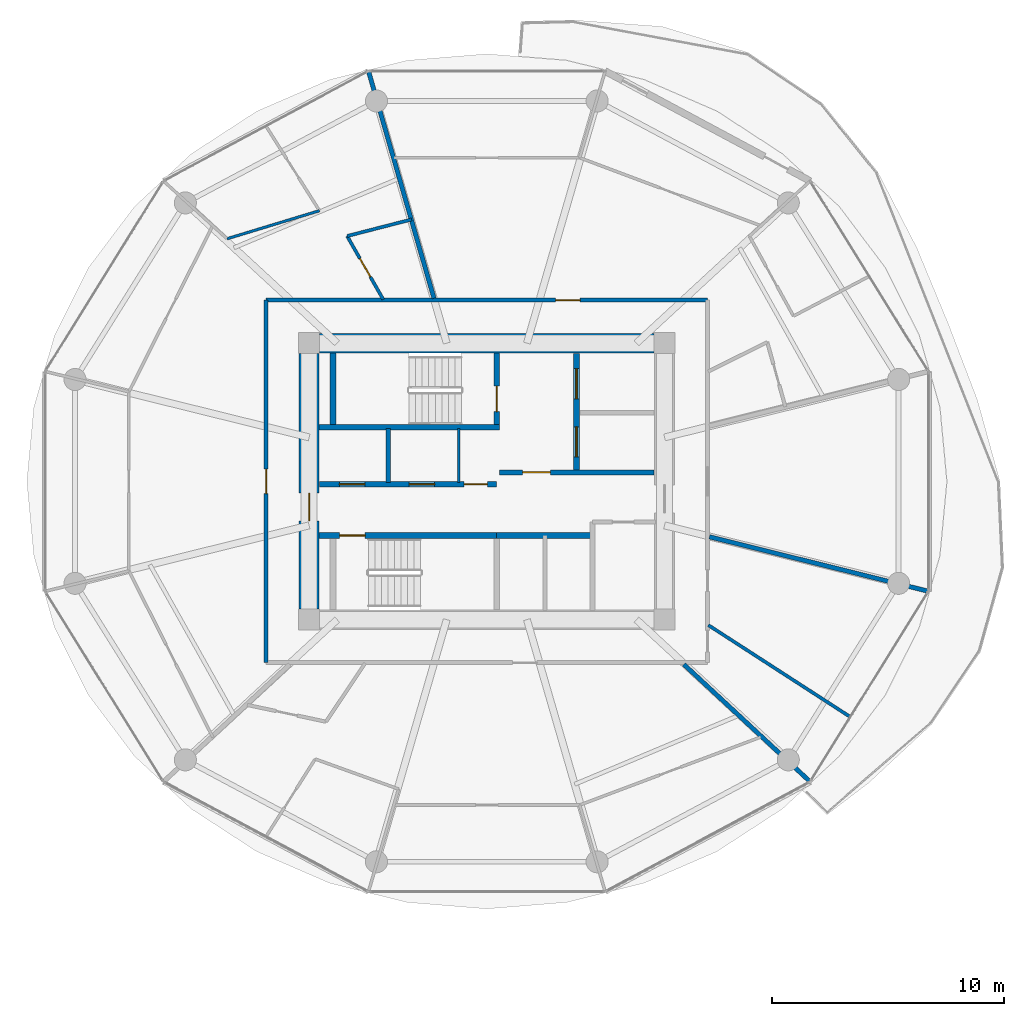
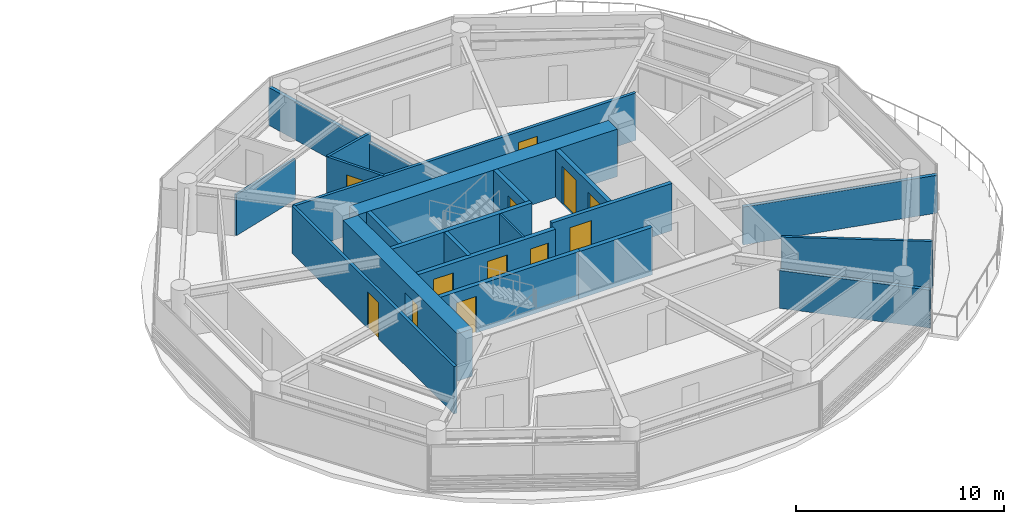
# One storey, part 19 of 27: 21 walls, 12 doors, 12 openings.
"""IFC4 building model written with IfcOpenShell, lengths in metres."""

from ifc_helpers import new_model, si_unit, direction, frame, frame_2d, origin, place, context, subcontext, project, spatial, rectangle, extrude, source, transform, mapped, material, layer, layer_set, type_object, type_shapes, element, fill, save


model = new_model("IFC4")

# Units and contexts
model_context = context("Model", 3, precision=1e-05, world=origin(), true_north=direction((0.0, 1.0)))
body_context = subcontext(model_context, "Body", "Model", "MODEL_VIEW")
ifc_project = project(units=[si_unit("LENGTHUNIT", "METRE"), si_unit("AREAUNIT", "SQUARE_METRE"), si_unit("VOLUMEUNIT", "CUBIC_METRE"), si_unit("PLANEANGLEUNIT", "RADIAN"), si_unit("MASSUNIT", "GRAM", prefix="KILO")], contexts=[model_context])

# Site, building, storey
site_placement = place(None, origin())
site = spatial("IfcSite", under=ifc_project, at=site_placement, CompositionType="ELEMENT")
building_placement = place(site_placement, origin())
building = spatial("IfcBuilding", under=site, at=building_placement, Name="Norrkilde Senior Care Towers", CompositionType="ELEMENT")
storey_placement = place(building_placement, frame((0.0, 0.0, 46.0)))
storey = spatial("IfcBuildingStorey", under=building, at=storey_placement, Name="L13", CompositionType="ELEMENT", Elevation=46.0)

# Wall
ifc_material_1 = material(Name="Concrete C60/75", Category="concrete")
ifc_layer_1 = layer(ifc_material_1, 0.85009765625)
ifc_layer_set_1 = layer_set([ifc_layer_1], Name="Concrete C60/75")
wall_type_1 = type_object("IfcWallType", Name="Core Shear Wall Z1 850", PredefinedType="SHEAR", material=ifc_layer_set_1)
shared_shape_1 = source(origin(), body_context, "Body", "SweptSolid", [
    extrude(rectangle(XDim=14.39990234375, YDim=0.85009765625, at=frame_2d((7.199951171875, 0.0))), origin(), (0.0, 0.0, 1.0), 2.7900390625),
])
wall_1_placement = place(storey_placement, frame((20.800048828125, 5.949951171875, 0.0), z_axis=(0.0, 0.0, 1.0), x_axis=(1.0, 0.0, 0.0)))
element("IfcWall", 1, at=wall_1_placement, inside=storey, type_object=wall_type_1, Name="L13 Core E North Shear Wall", PredefinedType="SHEAR", context=body_context, shape_type="MappedRepresentation", body=[
    mapped(shared_shape_1, transform((0.0, 0.0, 0.0), x_axis=(1.0, 0.0, 0.0), y_axis=(0.0, 1.0, 0.0), z_axis=(0.0, 0.0, 1.0), scale=1.0)),
])

# Wall, opening, door
shared_shape_2 = source(origin(), body_context, "Body", "SweptSolid", [
    extrude(rectangle(XDim=11.0, YDim=0.85009765625, at=frame_2d((5.5, 0.0))), origin(), (0.0, 0.0, 1.0), 2.7900390625),
])
type_shapes(wall_type_1, [shared_shape_1, shared_shape_2])
wall_2_placement = place(storey_placement, frame((20.35009765625, -5.5, 0.0), z_axis=(0.0, 0.0, 1.0), x_axis=(0.0, 1.0, 0.0)))
wall_2 = element("IfcWall", 2, at=wall_2_placement, inside=storey, type_object=wall_type_1, Name="L13 Core E West Shear Wall", PredefinedType="SHEAR", context=body_context, shape_type="MappedRepresentation", body=[
    mapped(shared_shape_2, transform((0.0, 0.0, 0.0), x_axis=(1.0, 0.0, 0.0), y_axis=(0.0, 1.0, 0.0), z_axis=(0.0, 0.0, 1.0), scale=1.0)),
])
opening_1_placement = place(wall_2_placement, frame((3.800048828125, 0.0, 0.0)))
opening_1 = element("IfcOpeningElement", 3, at=opening_1_placement, cuts=wall_2, Name="Opening D-04", PredefinedType="OPENING", context=body_context, shape_type="SweptSolid", body=[
    extrude(rectangle(XDim=1.199951171875, YDim=2.14990234375, at=frame_2d((0.60009765625, 1.074951171875))), frame((0.0, 0.43505859375, 0.0), z_axis=(0.0, -1.0, 0.0), x_axis=(1.0, 0.0, 0.0)), (0.0, 0.0, 1.0), 0.8701171875),
])
ifc_material_2 = material(Name="Galvanised Painted Steel", Category="steel")
door_type_1 = type_object("IfcDoorType", Name="Firefighting Lobby Fire Door 1200x2150", OperationType="NOTDEFINED", PredefinedType="DOOR", material=ifc_material_2)
shared_shape_3 = source(origin(), body_context, "Body", "SweptSolid", [
    extrude(rectangle(XDim=1.199951171875, YDim=2.14990234375, at=frame_2d((0.60009765625, 1.074951171875))), frame((0.0, 0.02490234375, 0.0), z_axis=(0.0, -1.0, 0.0), x_axis=(1.0, 0.0, 0.0)), (0.0, 0.0, 1.0), 0.050048828125),
])
type_shapes(door_type_1, [shared_shape_3])
door_1_placement = place(opening_1_placement, frame((1.199951171875, 0.0, 0.0), z_axis=(0.0, 0.0, 1.0), x_axis=(-1.0, 0.0, 0.0)))
door_1 = element("IfcDoor", 4, at=door_1_placement, inside=storey, type_object=door_type_1, Name="L13 Core E West Portal Door", OperationType="SINGLE_SWING_LEFT", OverallHeight=2.14990234375, OverallWidth=1.199951171875, PredefinedType="DOOR", context=body_context, shape_type="MappedRepresentation", body=[
    mapped(shared_shape_3, transform((0.0, 0.0, 0.0), x_axis=(1.0, 0.0, 0.0), y_axis=(0.0, 1.0, 0.0), z_axis=(0.0, 0.0, 1.0), scale=1.0)),
])
fill(opening_1, door_1)

# Wall, openings, doors
ifc_material_3 = material(Name="Concrete C45/55", Category="concrete")
ifc_layer_2 = layer(ifc_material_3, 0.239990234375)
ifc_layer_set_2 = layer_set([ifc_layer_2], Name="Concrete C45/55")
wall_type_2 = type_object("IfcWallType", Name="Lift and Plant Rated Enclosure Partition 240", PredefinedType="PARTITIONING", material=ifc_layer_set_2)
shared_shape_4 = source(origin(), body_context, "Body", "SweptSolid", [
    extrude(rectangle(XDim=5.0, YDim=0.239990234375, at=frame_2d((2.5, 0.0))), origin(), (0.0, 0.0, 1.0), 2.77490234375),
])
wall_3_placement = place(storey_placement, frame((31.860107421875, 0.5, 0.0), z_axis=(0.0, 0.0, 1.0), x_axis=(0.0, 1.0, 0.0)))
wall_3 = element("IfcWall", 5, at=wall_3_placement, inside=storey, type_object=wall_type_2, Name="WL-INT-L13-E-FFLE", PredefinedType="PARTITIONING", context=body_context, shape_type="MappedRepresentation", body=[
    mapped(shared_shape_4, transform((0.0, 0.0, 0.0), x_axis=(1.0, 0.0, 0.0), y_axis=(0.0, 1.0, 0.0), z_axis=(0.0, 0.0, 1.0), scale=1.0)),
])
opening_2_placement = place(wall_3_placement, frame((3.050048828125, 0.0, 0.0)))
opening_2 = element("IfcOpeningElement", 6, at=opening_2_placement, cuts=wall_3, Name="Opening LD-02", PredefinedType="OPENING", context=body_context, shape_type="SweptSolid", body=[
    extrude(rectangle(XDim=1.300048828125, YDim=2.199951171875, at=frame_2d((0.64990234375, 1.10009765625))), frame((0.0, 0.1298828125, 0.0), z_axis=(0.0, -1.0, 0.0), x_axis=(1.0, 0.0, 0.0)), (0.0, 0.0, 1.0), 0.260009765625),
])
opening_3_placement = place(wall_3_placement, frame((0.550048828125, 0.0, 0.0)))
opening_3 = element("IfcOpeningElement", 7, at=opening_3_placement, cuts=wall_3, Name="Opening LD-02", PredefinedType="OPENING", context=body_context, shape_type="SweptSolid", body=[
    extrude(rectangle(XDim=1.300048828125, YDim=2.199951171875, at=frame_2d((0.64990234375, 1.10009765625))), frame((0.0, 0.1298828125, 0.0), z_axis=(0.0, -1.0, 0.0), x_axis=(1.0, 0.0, 0.0)), (0.0, 0.0, 1.0), 0.260009765625),
])
ifc_material_4 = material(Name="Stainless Steel", Category="steel")
door_type_2 = type_object("IfcDoorType", Name="Stretcher and FFL Landing Sliding Door 1300x2200", OperationType="NOTDEFINED", PredefinedType="DOOR", material=ifc_material_4)
shared_shape_5 = source(origin(), body_context, "Body", "SweptSolid", [
    extrude(rectangle(XDim=1.300048828125, YDim=2.199951171875, at=frame_2d((0.64990234375, 1.10009765625))), frame((0.0, 0.02490234375, 0.0), z_axis=(0.0, -1.0, 0.0), x_axis=(1.0, 0.0, 0.0)), (0.0, 0.0, 1.0), 0.050048828125),
])
type_shapes(door_type_2, [shared_shape_5])
door_2_placement = place(opening_2_placement, origin())
door_2 = element("IfcDoor", 8, at=door_2_placement, inside=storey, type_object=door_type_2, Name="L13 Firefighting Lift E1 Landing Door", OperationType="SLIDING_TO_LEFT", OverallHeight=2.199951171875, OverallWidth=1.300048828125, PredefinedType="DOOR", context=body_context, shape_type="MappedRepresentation", body=[
    mapped(shared_shape_5, transform((0.0, 0.0, 0.0), x_axis=(1.0, 0.0, 0.0), y_axis=(0.0, 1.0, 0.0), z_axis=(0.0, 0.0, 1.0), scale=1.0)),
])
fill(opening_2, door_2)
door_3_placement = place(opening_3_placement, origin())
door_3 = element("IfcDoor", 9, at=door_3_placement, inside=storey, type_object=door_type_2, Name="L13 Stretcher Lift E1 Landing Door", OperationType="SLIDING_TO_RIGHT", OverallHeight=2.199951171875, OverallWidth=1.300048828125, PredefinedType="DOOR", context=body_context, shape_type="MappedRepresentation", body=[
    mapped(shared_shape_5, transform((0.0, 0.0, 0.0), x_axis=(1.0, 0.0, 0.0), y_axis=(0.0, 1.0, 0.0), z_axis=(0.0, 0.0, 1.0), scale=1.0)),
])
fill(opening_3, door_3)

# Wall, opening, door
ifc_layer_3 = layer(ifc_material_3, 0.2099609375)
ifc_layer_set_3 = layer_set([ifc_layer_3], Name="Concrete C45/55")
wall_type_3 = type_object("IfcWallType", Name="Firefighting Lobby Wall 210", PredefinedType="PARTITIONING", material=ifc_layer_set_3)
shared_shape_6 = source(origin(), body_context, "Body", "SweptSolid", [
    extrude(rectangle(XDim=6.659912109375, YDim=0.2099609375, at=frame_2d((3.330078125, 0.0))), origin(), (0.0, 0.0, 1.0), 2.77490234375),
])
type_shapes(wall_type_3, [shared_shape_6])
wall_4_placement = place(storey_placement, frame((28.5400390625, 0.389892578125, 0.0), z_axis=(0.0, 0.0, 1.0), x_axis=(1.0, 0.0, 0.0)))
wall_4 = element("IfcWall", 10, at=wall_4_placement, inside=storey, type_object=wall_type_3, Name="WL-INT-L13-E-FFLS", PredefinedType="PARTITIONING", context=body_context, shape_type="MappedRepresentation", body=[
    mapped(shared_shape_6, transform((0.0, 0.0, 0.0), x_axis=(1.0, 0.0, 0.0), y_axis=(0.0, 1.0, 0.0), z_axis=(0.0, 0.0, 1.0), scale=1.0)),
])
opening_4_placement = place(wall_4_placement, frame((1.0, 0.0, 0.0)))
opening_4 = element("IfcOpeningElement", 11, at=opening_4_placement, cuts=wall_4, Name="Opening D-04", PredefinedType="OPENING", context=body_context, shape_type="SweptSolid", body=[
    extrude(rectangle(XDim=1.199951171875, YDim=2.14990234375, at=frame_2d((0.60009765625, 1.074951171875))), frame((0.0, 0.114990234375, 0.0), z_axis=(0.0, -1.0, 0.0), x_axis=(1.0, 0.0, 0.0)), (0.0, 0.0, 1.0), 0.22998046875),
])
door_4_placement = place(opening_4_placement, frame((1.199951171875, 0.0, 0.0), z_axis=(0.0, 0.0, 1.0), x_axis=(-1.0, 0.0, 0.0)))
door_4 = element("IfcDoor", 12, at=door_4_placement, inside=storey, type_object=door_type_1, Name="L13 Firefighting Lobby E Door", OperationType="SINGLE_SWING_LEFT", OverallHeight=2.14990234375, OverallWidth=1.199951171875, PredefinedType="DOOR", context=body_context, shape_type="MappedRepresentation", body=[
    mapped(shared_shape_3, transform((0.0, 0.0, 0.0), x_axis=(1.0, 0.0, 0.0), y_axis=(0.0, 1.0, 0.0), z_axis=(0.0, 0.0, 1.0), scale=1.0)),
])
fill(opening_4, door_4)

# Wall, openings, doors
shared_shape_7 = source(origin(), body_context, "Body", "SweptSolid", [
    extrude(rectangle(XDim=7.619873046875, YDim=0.239990234375, at=frame_2d((3.81005859375, 0.0))), origin(), (0.0, 0.0, 1.0), 2.77490234375),
])
wall_5_placement = place(storey_placement, frame((20.800048828125, -0.1298828125, 0.0), z_axis=(0.0, 0.0, 1.0), x_axis=(1.0, 0.0, 0.0)))
wall_5 = element("IfcWall", 13, at=wall_5_placement, inside=storey, type_object=wall_type_2, Name="WL-INT-L13-E-PKAS", PredefinedType="PARTITIONING", context=body_context, shape_type="MappedRepresentation", body=[
    mapped(shared_shape_7, transform((0.0, 0.0, 0.0), x_axis=(1.0, 0.0, 0.0), y_axis=(0.0, 1.0, 0.0), z_axis=(0.0, 0.0, 1.0), scale=1.0)),
])
opening_5_placement = place(wall_5_placement, frame((6.219970703125, 0.0, 0.0)))
opening_5 = element("IfcOpeningElement", 14, at=opening_5_placement, cuts=wall_5, Name="Opening D-10", PredefinedType="OPENING", context=body_context, shape_type="SweptSolid", body=[
    extrude(rectangle(XDim=1.0, YDim=2.10009765625, at=frame_2d((0.5, 1.050048828125))), frame((0.0, 0.1298828125, 0.0), z_axis=(0.0, -1.0, 0.0), x_axis=(1.0, 0.0, 0.0)), (0.0, 0.0, 1.0), 0.260009765625),
])
opening_6_placement = place(wall_5_placement, frame((0.85009765625, 0.0, 0.0)))
opening_6 = element("IfcOpeningElement", 15, at=opening_6_placement, cuts=wall_5, Name="Opening LD-01", PredefinedType="OPENING", context=body_context, shape_type="SweptSolid", body=[
    extrude(rectangle(XDim=1.10009765625, YDim=2.199951171875, at=frame_2d((0.550048828125, 1.10009765625))), frame((0.0, 0.1298828125, 0.0), z_axis=(0.0, -1.0, 0.0), x_axis=(1.0, 0.0, 0.0)), (0.0, 0.0, 1.0), 0.260009765625),
])
opening_7_placement = place(wall_5_placement, frame((3.85009765625, 0.0, 0.0)))
opening_7 = element("IfcOpeningElement", 16, at=opening_7_placement, cuts=wall_5, Name="Opening LD-01", PredefinedType="OPENING", context=body_context, shape_type="SweptSolid", body=[
    extrude(rectangle(XDim=1.10009765625, YDim=2.199951171875, at=frame_2d((0.550048828125, 1.10009765625))), frame((0.0, 0.1298828125, 0.0), z_axis=(0.0, -1.0, 0.0), x_axis=(1.0, 0.0, 0.0)), (0.0, 0.0, 1.0), 0.260009765625),
])
door_type_3 = type_object("IfcDoorType", Name="Plant and Riser Rated Door 1000x2100", OperationType="NOTDEFINED", PredefinedType="DOOR", material=ifc_material_2)
shared_shape_8 = source(origin(), body_context, "Body", "SweptSolid", [
    extrude(rectangle(XDim=1.0, YDim=2.10009765625, at=frame_2d((0.5, 1.050048828125))), frame((0.0, 0.02490234375, 0.0), z_axis=(0.0, -1.0, 0.0), x_axis=(1.0, 0.0, 0.0)), (0.0, 0.0, 1.0), 0.050048828125),
])
type_shapes(door_type_3, [shared_shape_8])
door_5_placement = place(opening_5_placement, frame((1.0, 0.0, 0.0), z_axis=(0.0, 0.0, 1.0), x_axis=(-1.0, 0.0, 0.0)))
door_5 = element("IfcDoor", 17, at=door_5_placement, inside=storey, type_object=door_type_3, Name="L13 Electrical Riser E Door", OperationType="SINGLE_SWING_LEFT", OverallHeight=2.10009765625, OverallWidth=1.0, PredefinedType="DOOR", context=body_context, shape_type="MappedRepresentation", body=[
    mapped(shared_shape_8, transform((0.0, 0.0, 0.0), x_axis=(1.0, 0.0, 0.0), y_axis=(0.0, 1.0, 0.0), z_axis=(0.0, 0.0, 1.0), scale=1.0)),
])
fill(opening_5, door_5)
door_type_4 = type_object("IfcDoorType", Name="Lift Landing Sliding Door 1100x2200", OperationType="NOTDEFINED", PredefinedType="DOOR", material=ifc_material_4)
shared_shape_9 = source(origin(), body_context, "Body", "SweptSolid", [
    extrude(rectangle(XDim=1.10009765625, YDim=2.199951171875, at=frame_2d((0.550048828125, 1.10009765625))), frame((0.0, 0.02490234375, 0.0), z_axis=(0.0, -1.0, 0.0), x_axis=(1.0, 0.0, 0.0)), (0.0, 0.0, 1.0), 0.050048828125),
])
type_shapes(door_type_4, [shared_shape_9])
door_6_placement = place(opening_6_placement, origin())
door_6 = element("IfcDoor", 18, at=door_6_placement, inside=storey, type_object=door_type_4, Name="L13 Passenger Lift E1 Landing Door", OperationType="SLIDING_TO_LEFT", OverallHeight=2.199951171875, OverallWidth=1.10009765625, PredefinedType="DOOR", context=body_context, shape_type="MappedRepresentation", body=[
    mapped(shared_shape_9, transform((0.0, 0.0, 0.0), x_axis=(1.0, 0.0, 0.0), y_axis=(0.0, 1.0, 0.0), z_axis=(0.0, 0.0, 1.0), scale=1.0)),
])
fill(opening_6, door_6)
door_7_placement = place(opening_7_placement, origin())
door_7 = element("IfcDoor", 19, at=door_7_placement, inside=storey, type_object=door_type_4, Name="L13 Passenger Lift E2 Landing Door", OperationType="SLIDING_TO_RIGHT", OverallHeight=2.199951171875, OverallWidth=1.10009765625, PredefinedType="DOOR", context=body_context, shape_type="MappedRepresentation", body=[
    mapped(shared_shape_9, transform((0.0, 0.0, 0.0), x_axis=(1.0, 0.0, 0.0), y_axis=(0.0, 1.0, 0.0), z_axis=(0.0, 0.0, 1.0), scale=1.0)),
])
fill(opening_7, door_7)

# Walls
ifc_material_5 = material(Name="Gypsum Acoustic Board")
ifc_layer_4 = layer(ifc_material_5, 0.114990234375)
ifc_layer_set_4 = layer_set([ifc_layer_4], Name="Gypsum Acoustic Board")
wall_type_4 = type_object("IfcWallType", Name="Internal Room Partition 115", PredefinedType="PARTITIONING", material=ifc_layer_set_4)
shared_shape_10 = source(origin(), body_context, "Body", "SweptSolid", [
    extrude(rectangle(XDim=2.330078125, YDim=0.114990234375, at=frame_2d((1.1650390625, 0.0))), origin(), (0.0, 0.0, 1.0), 2.77490234375),
])
wall_6_placement = place(storey_placement, frame((26.7900390625, -0.050048828125, 0.0), z_axis=(0.0, 0.0, 1.0), x_axis=(0.0, 1.0, 0.0)))
element("IfcWall", 20, at=wall_6_placement, inside=storey, type_object=wall_type_4, Name="WL-INT-L13-E-RISW", PredefinedType="PARTITIONING", context=body_context, shape_type="MappedRepresentation", body=[
    mapped(shared_shape_10, transform((0.0, 0.0, 0.0), x_axis=(1.0, 0.0, 0.0), y_axis=(0.0, 1.0, 0.0), z_axis=(0.0, 0.0, 1.0), scale=1.0)),
])
ifc_layer_5 = layer(ifc_material_3, 0.199951171875)
ifc_layer_set_5 = layer_set([ifc_layer_5], Name="Concrete C45/55")
wall_type_5 = type_object("IfcWallType", Name="Shaft Division and Plant Partition 200", PredefinedType="PARTITIONING", material=ifc_layer_set_5)
shared_shape_11 = source(origin(), body_context, "Body", "SweptSolid", [
    extrude(rectangle(XDim=2.330078125, YDim=0.199951171875, at=frame_2d((1.1650390625, 0.0))), origin(), (0.0, 0.0, 1.0), 2.77490234375),
])
type_shapes(wall_type_5, [shared_shape_11])
wall_7_placement = place(storey_placement, frame((23.75, -0.050048828125, 0.0), z_axis=(0.0, 0.0, 1.0), x_axis=(0.0, 1.0, 0.0)))
element("IfcWall", 21, at=wall_7_placement, inside=storey, type_object=wall_type_5, Name="WL-INT-L13-E-PL12", PredefinedType="PARTITIONING", context=body_context, shape_type="MappedRepresentation", body=[
    mapped(shared_shape_11, transform((0.0, 0.0, 0.0), x_axis=(1.0, 0.0, 0.0), y_axis=(0.0, 1.0, 0.0), z_axis=(0.0, 0.0, 1.0), scale=1.0)),
])
shared_shape_12 = source(origin(), body_context, "Body", "SweptSolid", [
    extrude(rectangle(XDim=4.130126953125, YDim=0.239990234375, at=frame_2d((2.06494140625, 0.0))), origin(), (0.0, 0.0, 1.0), 2.77490234375),
])
type_shapes(wall_type_2, [shared_shape_4, shared_shape_7, shared_shape_12])
wall_8_placement = place(storey_placement, frame((28.419921875, -2.330078125, 0.0), z_axis=(0.0, 0.0, 1.0), x_axis=(1.0, 0.0, 0.0)))
element("IfcWall", 22, at=wall_8_placement, inside=storey, type_object=wall_type_2, Name="WL-INT-L13-E-PKBN", PredefinedType="PARTITIONING", context=body_context, shape_type="MappedRepresentation", body=[
    mapped(shared_shape_12, transform((0.0, 0.0, 0.0), x_axis=(1.0, 0.0, 0.0), y_axis=(0.0, 1.0, 0.0), z_axis=(0.0, 0.0, 1.0), scale=1.0)),
])

# Wall, opening, door
ifc_layer_6 = layer(ifc_material_5, 0.1650390625)
ifc_layer_set_6 = layer_set([ifc_layer_6], Name="Gypsum Acoustic Board")
wall_type_6 = type_object("IfcWallType", Name="Corridor Rated Partition 165", PredefinedType="PARTITIONING", material=ifc_layer_set_6)
shared_shape_13 = source(origin(), body_context, "Body", "SweptSolid", [
    extrude(rectangle(XDim=19.0, YDim=0.1650390625, at=frame_2d((9.5, 0.0))), origin(), (0.0, 0.0, 1.0), 2.77490234375),
])
wall_9_placement = place(storey_placement, frame((18.5, 7.800048828125, 0.0), z_axis=(0.0, 0.0, 1.0), x_axis=(1.0, 0.0, 0.0)))
wall_9 = element("IfcWall", 23, at=wall_9_placement, inside=storey, type_object=wall_type_6, Name="WL-INT-L13-E-CRW-N-0", PredefinedType="PARTITIONING", context=body_context, shape_type="MappedRepresentation", body=[
    mapped(shared_shape_13, transform((0.0, 0.0, 0.0), x_axis=(1.0, 0.0, 0.0), y_axis=(0.0, 1.0, 0.0), z_axis=(0.0, 0.0, 1.0), scale=1.0)),
])
opening_8_placement = place(wall_9_placement, frame((12.462158203125, 0.0, 0.0)))
opening_8 = element("IfcOpeningElement", 24, at=opening_8_placement, cuts=wall_9, Name="Opening D-06", PredefinedType="OPENING", context=body_context, shape_type="SweptSolid", body=[
    extrude(rectangle(XDim=1.050048828125, YDim=2.14990234375, at=frame_2d((0.52490234375, 1.074951171875))), frame((0.0, 0.092529296875, 0.0), z_axis=(0.0, -1.0, 0.0), x_axis=(1.0, 0.0, 0.0)), (0.0, 0.0, 1.0), 0.18505859375),
])
ifc_material_6 = material(Name="Nordic Ash Timber", Category="wood")
door_type_5 = type_object("IfcDoorType", Name="Apartment Entrance Fire Door 1050x2150", OperationType="NOTDEFINED", PredefinedType="DOOR", material=ifc_material_6)
shared_shape_14 = source(origin(), body_context, "Body", "SweptSolid", [
    extrude(rectangle(XDim=1.050048828125, YDim=2.14990234375, at=frame_2d((0.52490234375, 1.074951171875))), frame((0.0, 0.02490234375, 0.0), z_axis=(0.0, -1.0, 0.0), x_axis=(1.0, 0.0, 0.0)), (0.0, 0.0, 1.0), 0.050048828125),
])
type_shapes(door_type_5, [shared_shape_14])
door_8_placement = place(opening_8_placement, frame((1.050048828125, 0.0, 0.0), z_axis=(0.0, 0.0, 1.0), x_axis=(-1.0, 0.0, 0.0)))
door_8 = element("IfcDoor", 25, at=door_8_placement, inside=storey, type_object=door_type_5, Name="Apartment 13E Entrance Door", OperationType="SINGLE_SWING_LEFT", OverallHeight=2.14990234375, OverallWidth=1.050048828125, PredefinedType="DOOR", context=body_context, shape_type="MappedRepresentation", body=[
    mapped(shared_shape_14, transform((0.0, 0.0, 0.0), x_axis=(1.0, 0.0, 0.0), y_axis=(0.0, 1.0, 0.0), z_axis=(0.0, 0.0, 1.0), scale=1.0)),
])
fill(opening_8, door_8)

shared_shape_15 = source(origin(), body_context, "Body", "SweptSolid", [
    extrude(rectangle(XDim=15.60009765625, YDim=0.1650390625, at=frame_2d((7.800048828125, 0.0))), origin(), (0.0, 0.0, 1.0), 2.77490234375),
])
type_shapes(wall_type_6, [shared_shape_13, shared_shape_15])
wall_10_placement = place(storey_placement, frame((18.5, -7.800048828125, 0.0), z_axis=(0.0, 0.0, 1.0), x_axis=(0.0, 1.0, 0.0)))
wall_10 = element("IfcWall", 26, at=wall_10_placement, inside=storey, type_object=wall_type_6, Name="WL-INT-L13-E-CRW-W-0", PredefinedType="PARTITIONING", context=body_context, shape_type="MappedRepresentation", body=[
    mapped(shared_shape_15, transform((0.0, 0.0, 0.0), x_axis=(1.0, 0.0, 0.0), y_axis=(0.0, 1.0, 0.0), z_axis=(0.0, 0.0, 1.0), scale=1.0)),
])
opening_9_placement = place(wall_10_placement, frame((7.27490234375, 0.0, 0.0)))
opening_9 = element("IfcOpeningElement", 27, at=opening_9_placement, cuts=wall_10, Name="Opening D-06", PredefinedType="OPENING", context=body_context, shape_type="SweptSolid", body=[
    extrude(rectangle(XDim=1.050048828125, YDim=2.14990234375, at=frame_2d((0.52490234375, 1.074951171875))), frame((0.0, 0.092529296875, 0.0), z_axis=(0.0, -1.0, 0.0), x_axis=(1.0, 0.0, 0.0)), (0.0, 0.0, 1.0), 0.18505859375),
])
door_9_placement = place(opening_9_placement, frame((1.050048828125, 0.0, 0.0), z_axis=(0.0, 0.0, 1.0), x_axis=(-1.0, 0.0, 0.0)))
door_9 = element("IfcDoor", 28, at=door_9_placement, inside=storey, type_object=door_type_5, Name="Apartment 13A Entrance Door", OperationType="SINGLE_SWING_RIGHT", OverallHeight=2.14990234375, OverallWidth=1.050048828125, PredefinedType="DOOR", context=body_context, shape_type="MappedRepresentation", body=[
    mapped(shared_shape_14, transform((0.0, 0.0, 0.0), x_axis=(1.0, 0.0, 0.0), y_axis=(0.0, 1.0, 0.0), z_axis=(0.0, 0.0, 1.0), scale=1.0)),
])
fill(opening_9, door_9)

ifc_layer_7 = layer(ifc_material_5, 0.139892578125)
ifc_layer_set_7 = layer_set([ifc_layer_7], Name="Gypsum Acoustic Board")
wall_type_7 = type_object("IfcWallType", Name="En-suite Wet Room Wall 140", PredefinedType="PARTITIONING", material=ifc_layer_set_7)
shared_shape_16 = source(origin(), body_context, "Body", "SweptSolid", [
    extrude(rectangle(XDim=3.14111328125, YDim=0.139892578125, at=frame_2d((1.570556640625, 0.0))), origin(), (0.0, 0.0, 1.0), 2.77490234375),
])
wall_11_placement = place(storey_placement, frame((23.54150390625, 7.830078125, 0.0), z_axis=(0.0, 0.0, 1.0), x_axis=(-0.494874486088, 0.868964465913, 0.0)))
wall_11 = element("IfcWall", 29, at=wall_11_placement, inside=storey, type_object=wall_type_7, Name="WL-INT-L13-E-UBTS-03", PredefinedType="PARTITIONING", context=body_context, shape_type="MappedRepresentation", body=[
    mapped(shared_shape_16, transform((0.0, 0.0, 0.0), x_axis=(1.0, 0.0, 0.0), y_axis=(0.0, 1.0, 0.0), z_axis=(0.0, 0.0, 1.0), scale=1.0)),
])
opening_10_placement = place(wall_11_placement, frame((1.110595703125, 0.0, 0.0)))
opening_10 = element("IfcOpeningElement", 30, at=opening_10_placement, cuts=wall_11, Name="Opening D-08", PredefinedType="OPENING", context=body_context, shape_type="SweptSolid", body=[
    extrude(rectangle(XDim=0.919921875, YDim=2.10009765625, at=frame_2d((0.4599609375, 1.050048828125))), frame((0.0, 0.079833984375, 0.0), z_axis=(0.0, -1.0, 0.0), x_axis=(1.0, 0.0, 0.0)), (0.0, 0.0, 1.0), 0.159912109375),
])
door_type_6 = type_object("IfcDoorType", Name="Accessible Wet Room Door 920x2100", OperationType="NOTDEFINED", PredefinedType="DOOR", material=ifc_material_6)
shared_shape_17 = source(origin(), body_context, "Body", "SweptSolid", [
    extrude(rectangle(XDim=0.919921875, YDim=2.10009765625, at=frame_2d((0.4599609375, 1.050048828125))), frame((0.0, 0.02490234375, 0.0), z_axis=(0.0, -1.0, 0.0), x_axis=(1.0, 0.0, 0.0)), (0.0, 0.0, 1.0), 0.050048828125),
])
type_shapes(door_type_6, [shared_shape_17])
door_10_placement = place(opening_10_placement, origin())
door_10 = element("IfcDoor", 31, at=door_10_placement, inside=storey, type_object=door_type_6, Name="Apartment 13A Bathroom Door", OperationType="SINGLE_SWING_LEFT", OverallHeight=2.10009765625, OverallWidth=0.919921875, PredefinedType="DOOR", context=body_context, shape_type="MappedRepresentation", body=[
    mapped(shared_shape_17, transform((0.0, 0.0, 0.0), x_axis=(1.0, 0.0, 0.0), y_axis=(0.0, 1.0, 0.0), z_axis=(0.0, 0.0, 1.0), scale=1.0)),
])
fill(opening_10, door_10)

# Walls
shared_shape_18 = source(origin(), body_context, "Body", "SweptSolid", [
    extrude(rectangle(XDim=2.8681640625, YDim=0.139892578125, at=frame_2d((1.43408203125, 0.0))), origin(), (0.0, 0.0, 1.0), 2.77490234375),
])
wall_12_placement = place(storey_placement, frame((21.987060546875, 10.5595703125, 0.0), z_axis=(0.0, 0.0, 1.0), x_axis=(0.968467705195, 0.249139125778, 0.0)))
element("IfcWall", 32, at=wall_12_placement, inside=storey, type_object=wall_type_7, Name="WL-INT-L13-E-UBTF-03", PredefinedType="PARTITIONING", context=body_context, shape_type="MappedRepresentation", body=[
    mapped(shared_shape_18, transform((0.0, 0.0, 0.0), x_axis=(1.0, 0.0, 0.0), y_axis=(0.0, 1.0, 0.0), z_axis=(0.0, 0.0, 1.0), scale=1.0)),
])
ifc_layer_8 = layer(ifc_material_3, 0.239990234375)
ifc_layer_set_8 = layer_set([ifc_layer_8], Name="Concrete C45/55")
wall_type_8 = type_object("IfcWallType", Name="Shaft and Stair Enclosure Wall 240", PredefinedType="PARTITIONING", material=ifc_layer_set_8)
shared_shape_19 = source(origin(), body_context, "Body", "SweptSolid", [
    extrude(rectangle(XDim=7.76513671875, YDim=0.239990234375, at=frame_2d((3.882568359375, 0.0))), origin(), (0.0, 0.0, 1.0), 2.7900390625),
])
wall_13_placement = place(storey_placement, frame((20.77490234375, 2.330078125, 0.0), z_axis=(0.0, 0.0, 1.0), x_axis=(1.0, 0.0, 0.0)))
element("IfcWall", 33, at=wall_13_placement, inside=storey, type_object=wall_type_8, Name="WL-INT-L13-E-ST1S", PredefinedType="PARTITIONING", context=body_context, shape_type="MappedRepresentation", body=[
    mapped(shared_shape_19, transform((0.0, 0.0, 0.0), x_axis=(1.0, 0.0, 0.0), y_axis=(0.0, 1.0, 0.0), z_axis=(0.0, 0.0, 1.0), scale=1.0)),
])

# Wall, opening, door
wall_14_placement = place(storey_placement, frame((20.77490234375, -2.330078125, 0.0), z_axis=(0.0, 0.0, 1.0), x_axis=(1.0, 0.0, 0.0)))
wall_14 = element("IfcWall", 34, at=wall_14_placement, inside=storey, type_object=wall_type_8, Name="WL-INT-L13-E-ST2N", PredefinedType="PARTITIONING", context=body_context, shape_type="MappedRepresentation", body=[
    mapped(shared_shape_19, transform((0.0, 0.0, 0.0), x_axis=(1.0, 0.0, 0.0), y_axis=(0.0, 1.0, 0.0), z_axis=(0.0, 0.0, 1.0), scale=1.0)),
])
opening_11_placement = place(wall_14_placement, frame((0.885009765625, 0.0, 0.0)))
opening_11 = element("IfcOpeningElement", 35, at=opening_11_placement, cuts=wall_14, Name="Opening D-03", PredefinedType="OPENING", context=body_context, shape_type="SweptSolid", body=[
    extrude(rectangle(XDim=1.10009765625, YDim=2.14990234375, at=frame_2d((0.550048828125, 1.074951171875))), frame((0.0, 0.1298828125, 0.0), z_axis=(0.0, -1.0, 0.0), x_axis=(1.0, 0.0, 0.0)), (0.0, 0.0, 1.0), 0.260009765625),
])
door_type_7 = type_object("IfcDoorType", Name="Stairwell Protected Fire Door 1100x2150", OperationType="NOTDEFINED", PredefinedType="DOOR", material=ifc_material_2)
shared_shape_20 = source(origin(), body_context, "Body", "SweptSolid", [
    extrude(rectangle(XDim=1.10009765625, YDim=2.14990234375, at=frame_2d((0.550048828125, 1.074951171875))), frame((0.0, 0.02490234375, 0.0), z_axis=(0.0, -1.0, 0.0), x_axis=(1.0, 0.0, 0.0)), (0.0, 0.0, 1.0), 0.050048828125),
])
type_shapes(door_type_7, [shared_shape_20])
door_11_placement = place(opening_11_placement, frame((1.10009765625, 0.0, 0.0), z_axis=(0.0, 0.0, 1.0), x_axis=(-1.0, 0.0, 0.0)))
door_11 = element("IfcDoor", 36, at=door_11_placement, inside=storey, type_object=door_type_7, Name="L13 Stair E2 Fire Door", OperationType="SINGLE_SWING_RIGHT", OverallHeight=2.14990234375, OverallWidth=1.10009765625, PredefinedType="DOOR", context=body_context, shape_type="MappedRepresentation", body=[
    mapped(shared_shape_20, transform((0.0, 0.0, 0.0), x_axis=(1.0, 0.0, 0.0), y_axis=(0.0, 1.0, 0.0), z_axis=(0.0, 0.0, 1.0), scale=1.0)),
])
fill(opening_11, door_11)

# Wall
shared_shape_21 = source(origin(), body_context, "Body", "SweptSolid", [
    extrude(rectangle(XDim=3.074951171875, YDim=0.239990234375, at=frame_2d((1.53759765625, 0.0))), origin(), (0.0, 0.0, 1.0), 2.7900390625),
])
type_shapes(wall_type_8, [shared_shape_19, shared_shape_21])
wall_15_placement = place(storey_placement, frame((21.3798828125, 2.449951171875, 0.0), z_axis=(0.0, 0.0, 1.0), x_axis=(0.0, 1.0, 0.0)))
element("IfcWall", 37, at=wall_15_placement, inside=storey, type_object=wall_type_8, Name="WL-INT-L13-E-ST1W", PredefinedType="PARTITIONING", context=body_context, shape_type="MappedRepresentation", body=[
    mapped(shared_shape_21, transform((0.0, 0.0, 0.0), x_axis=(1.0, 0.0, 0.0), y_axis=(0.0, 1.0, 0.0), z_axis=(0.0, 0.0, 1.0), scale=1.0)),
])

# Wall, opening, door
wall_16_placement = place(storey_placement, frame((28.419921875, 2.449951171875, 0.0), z_axis=(0.0, 0.0, 1.0), x_axis=(0.0, 1.0, 0.0)))
wall_16 = element("IfcWall", 38, at=wall_16_placement, inside=storey, type_object=wall_type_8, Name="WL-INT-L13-E-ST1E", PredefinedType="PARTITIONING", context=body_context, shape_type="MappedRepresentation", body=[
    mapped(shared_shape_21, transform((0.0, 0.0, 0.0), x_axis=(1.0, 0.0, 0.0), y_axis=(0.0, 1.0, 0.0), z_axis=(0.0, 0.0, 1.0), scale=1.0)),
])
opening_12_placement = place(wall_16_placement, frame((0.550048828125, 0.0, 0.0)))
opening_12 = element("IfcOpeningElement", 39, at=opening_12_placement, cuts=wall_16, Name="Opening D-03", PredefinedType="OPENING", context=body_context, shape_type="SweptSolid", body=[
    extrude(rectangle(XDim=1.10009765625, YDim=2.14990234375, at=frame_2d((0.550048828125, 1.074951171875))), frame((0.0, 0.1298828125, 0.0), z_axis=(0.0, -1.0, 0.0), x_axis=(1.0, 0.0, 0.0)), (0.0, 0.0, 1.0), 0.260009765625),
])
door_12_placement = place(opening_12_placement, origin())
door_12 = element("IfcDoor", 40, at=door_12_placement, inside=storey, type_object=door_type_7, Name="L13 Stair E1 Fire Door", OperationType="SINGLE_SWING_LEFT", OverallHeight=2.14990234375, OverallWidth=1.10009765625, PredefinedType="DOOR", context=body_context, shape_type="MappedRepresentation", body=[
    mapped(shared_shape_20, transform((0.0, 0.0, 0.0), x_axis=(1.0, 0.0, 0.0), y_axis=(0.0, 1.0, 0.0), z_axis=(0.0, 0.0, 1.0), scale=1.0)),
])
fill(opening_12, door_12)

# Walls
ifc_layer_9 = layer(ifc_material_5, 0.18994140625)
ifc_layer_set_9 = layer_set([ifc_layer_9], Name="Gypsum Acoustic Board")
wall_type_9 = type_object("IfcWallType", Name="Unit Demising Acoustic Wall 190", PredefinedType="PARTITIONING", material=ifc_layer_set_9)
shared_shape_22 = source(origin(), body_context, "Body", "SweptSolid", [
    extrude(rectangle(XDim=7.4345703125, YDim=0.18994140625, at=frame_2d((3.71728515625, 0.0))), origin(), (0.0, 0.0, 1.0), 2.22509765625),
])
wall_17_placement = place(storey_placement, frame((36.48291015625, -7.8798828125, 0.0), z_axis=(0.0, 0.0, 1.0), x_axis=(0.732651956848, -0.680603489652, 0.0)))
element("IfcWall", 41, at=wall_17_placement, inside=storey, type_object=wall_type_9, Name="WL-INT-L13-E-DEM-10-0", PredefinedType="PARTITIONING", context=body_context, shape_type="MappedRepresentation", body=[
    mapped(shared_shape_22, transform((0.0, 0.0, 0.0), x_axis=(1.0, 0.0, 0.0), y_axis=(0.0, 1.0, 0.0), z_axis=(0.0, 0.0, 1.0), scale=1.0)),
])
shared_shape_23 = source(origin(), body_context, "Body", "SweptSolid", [
    extrude(rectangle(XDim=10.196044921875, YDim=0.18994140625, at=frame_2d((5.09814453125, 0.0))), origin(), (0.0, 0.0, 1.0), 2.22509765625),
])
wall_18_placement = place(storey_placement, frame((25.72705078125, 7.8798828125, 0.0), z_axis=(0.0, 0.0, 1.0), x_axis=(-0.277136420347, 0.960830580549, 0.0)))
element("IfcWall", 42, at=wall_18_placement, inside=storey, type_object=wall_type_9, Name="WL-INT-L13-E-DEM-03-0", PredefinedType="PARTITIONING", context=body_context, shape_type="MappedRepresentation", body=[
    mapped(shared_shape_23, transform((0.0, 0.0, 0.0), x_axis=(1.0, 0.0, 0.0), y_axis=(0.0, 1.0, 0.0), z_axis=(0.0, 0.0, 1.0), scale=1.0)),
])
shared_shape_24 = source(origin(), body_context, "Body", "SweptSolid", [
    extrude(rectangle(XDim=9.737060546875, YDim=0.18994140625, at=frame_2d((4.86865234375, 0.0))), origin(), (0.0, 0.0, 1.0), 2.22509765625),
])
type_shapes(wall_type_9, [shared_shape_22, shared_shape_23, shared_shape_24])
wall_19_placement = place(storey_placement, frame((37.580078125, -2.384521484375, 0.0), z_axis=(0.0, 0.0, 1.0), x_axis=(0.970392716238, -0.241532557375, 0.0)))
element("IfcWall", 43, at=wall_19_placement, inside=storey, type_object=wall_type_9, Name="WL-INT-L13-E-DEM-11-0", PredefinedType="PARTITIONING", context=body_context, shape_type="MappedRepresentation", body=[
    mapped(shared_shape_24, transform((0.0, 0.0, 0.0), x_axis=(1.0, 0.0, 0.0), y_axis=(0.0, 1.0, 0.0), z_axis=(0.0, 0.0, 1.0), scale=1.0)),
])
shared_shape_25 = source(origin(), body_context, "Body", "SweptSolid", [
    extrude(rectangle(XDim=4.15869140625, YDim=0.114990234375, at=frame_2d((2.079345703125, 0.0))), origin(), (0.0, 0.0, 1.0), 2.4150390625),
])
type_shapes(wall_type_4, [shared_shape_10, shared_shape_25])
wall_20_placement = place(storey_placement, frame((20.79638671875, 11.650634765625, 0.0), z_axis=(0.0, 0.0, 1.0), x_axis=(-0.956846477815, -0.290593905466, 0.0)))
element("IfcWall", 44, at=wall_20_placement, inside=storey, type_object=wall_type_4, Name="WL-INT-L13-E-UKTF-03", PredefinedType="PARTITIONING", context=body_context, shape_type="MappedRepresentation", body=[
    mapped(shared_shape_25, transform((0.0, 0.0, 0.0), x_axis=(1.0, 0.0, 0.0), y_axis=(0.0, 1.0, 0.0), z_axis=(0.0, 0.0, 1.0), scale=1.0)),
])
shared_shape_26 = source(origin(), body_context, "Body", "SweptSolid", [
    extrude(rectangle(XDim=7.30419921875, YDim=0.139892578125, at=frame_2d((3.652099609375, 0.0))), origin(), (0.0, 0.0, 1.0), 2.77490234375),
])
type_shapes(wall_type_7, [shared_shape_16, shared_shape_18, shared_shape_26])
wall_21_placement = place(storey_placement, frame((37.530029296875, -6.184814453125, 0.0), z_axis=(0.0, 0.0, 1.0), x_axis=(0.83973870965, -0.54299069929, 0.0)))
element("IfcWall", 45, at=wall_21_placement, inside=storey, type_object=wall_type_7, Name="WL-INT-L13-E-MID-10", PredefinedType="PARTITIONING", context=body_context, shape_type="MappedRepresentation", body=[
    mapped(shared_shape_26, transform((0.0, 0.0, 0.0), x_axis=(1.0, 0.0, 0.0), y_axis=(0.0, 1.0, 0.0), z_axis=(0.0, 0.0, 1.0), scale=1.0)),
])

save(model, "model.ifc")
